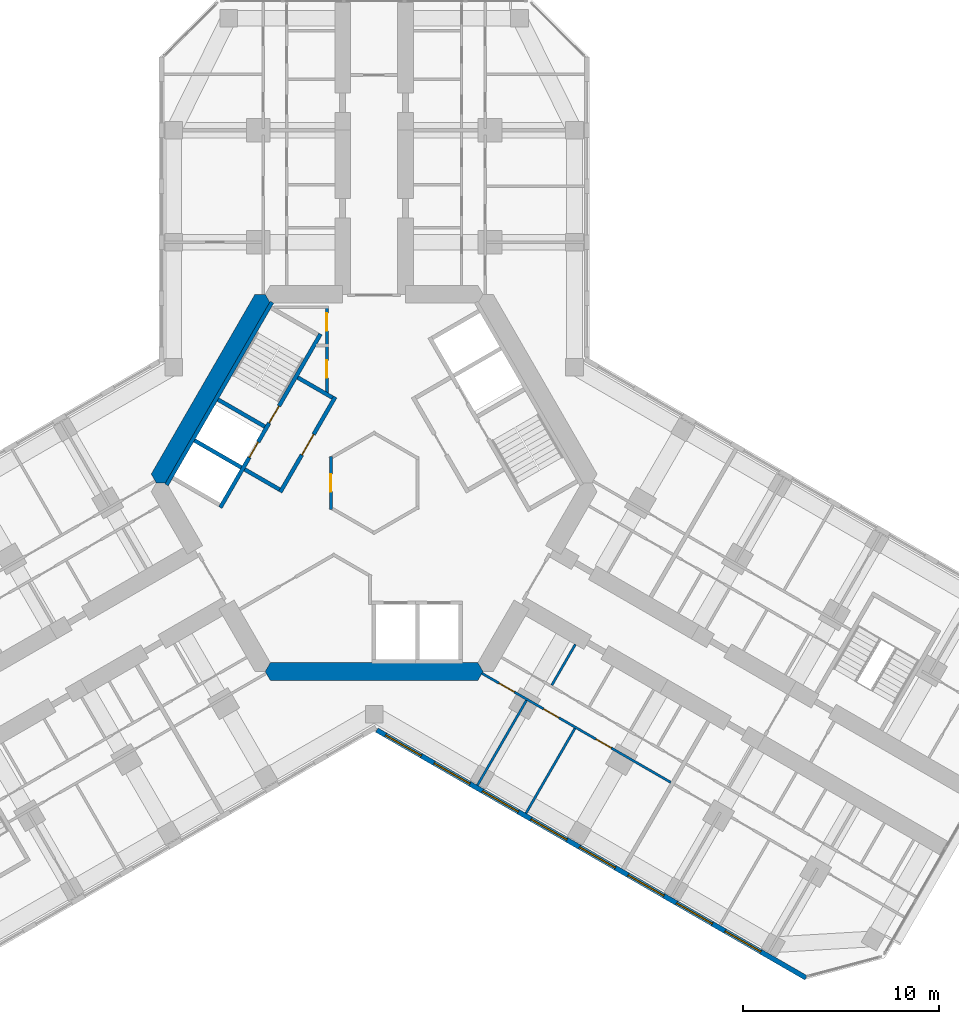
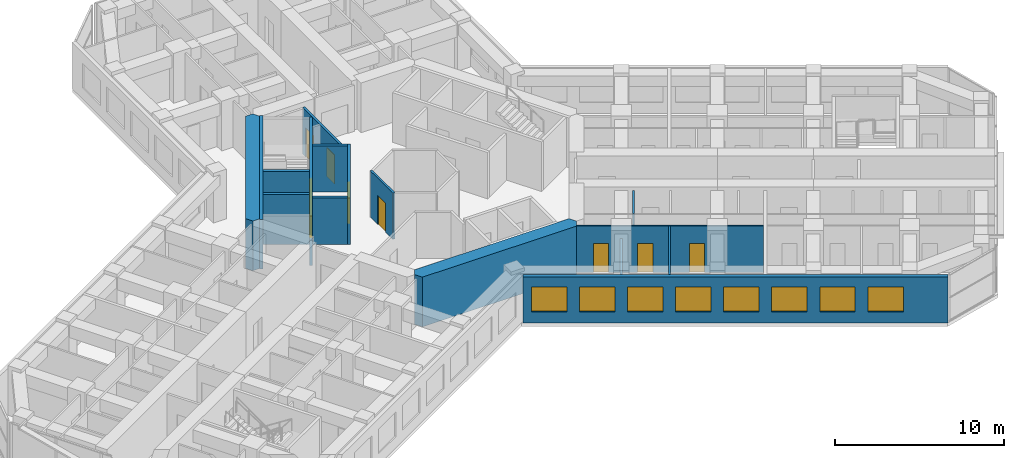
# One storey, part 13 of 20: 16 walls, 9 doors, 8 windows, 17 openings.
"""IFC4 building model written with IfcOpenShell, lengths in metres."""

from ifc_helpers import new_model, si_unit, direction, frame, frame_2d, origin, place, context, subcontext, project, spatial, polyline, rectangle, outline, extrude, material, layer, layer_set, type_object, element, fill, save


model = new_model("IFC4")

# Units and contexts
model_context = context("Model", 3, precision=1e-05, world=origin(), true_north=direction((0.0, 1.0)))
body_context = subcontext(model_context, "Body", "Model", "MODEL_VIEW")
ifc_project = project(units=[si_unit("LENGTHUNIT", "METRE"), si_unit("AREAUNIT", "SQUARE_METRE"), si_unit("VOLUMEUNIT", "CUBIC_METRE"), si_unit("PLANEANGLEUNIT", "RADIAN"), si_unit("MASSUNIT", "GRAM", prefix="KILO")], contexts=[model_context])

# Site, building, storey
site_placement = place(None, origin())
site = spatial("IfcSite", under=ifc_project, at=site_placement, CompositionType="ELEMENT")
building_placement = place(site_placement, origin())
building = spatial("IfcBuilding", under=site, at=building_placement, Name="Kosmar Iwan School Tower", CompositionType="ELEMENT")
storey_placement = place(building_placement, frame((0.0, 0.0, 179.60009765625)))
storey = spatial("IfcBuildingStorey", under=building, at=storey_placement, Name="L45", CompositionType="ELEMENT", Elevation=179.60009765625)

# Wall, openings, doors
ifc_material_1 = material(Name="Gypsum board on steel studs, fire-rated", Category="steel")
ifc_layer_1 = layer(ifc_material_1, 0.14990234375)
ifc_layer_set_1 = layer_set([ifc_layer_1], Name="Core room partition 150")
wall_type_1 = type_object("IfcWallType", Name="Core room partition 150", PredefinedType="PARTITIONING", material=ifc_layer_set_1)
wall_1_placement = place(storey_placement, frame((-2.39990234375, 9.014892578125, 0.0), z_axis=(0.0, 0.0, 1.0), x_axis=(0.0, -1.0, 0.0)))
wall_1 = element("IfcWall", 1, at=wall_1_placement, inside=storey, type_object=wall_type_1, Name="Core room partition L45-CW1", PredefinedType="PARTITIONING", context=body_context, shape_type="SweptSolid", body=[
    extrude(rectangle(XDim=4.484130859375, YDim=0.14990234375, at=frame_2d((2.2421875, 0.0))), origin(), (0.0, 0.0, 1.0), 3.349853515625),
])
opening_1_placement = place(wall_1_placement, frame((0.375, 0.0, 0.0)))
opening_1 = element("IfcOpeningElement", 2, at=opening_1_placement, cuts=wall_1, Name="Opening D14", PredefinedType="OPENING", context=body_context, shape_type="SweptSolid", body=[
    extrude(rectangle(XDim=0.89990234375, YDim=2.10009765625, at=frame_2d((0.449951171875, 1.050048828125))), frame((0.0, 0.0869140625, 0.0), z_axis=(0.0, -1.0, 0.0), x_axis=(1.0, 0.0, 0.0)), (0.0, 0.0, 1.0), 0.173828125),
])
opening_2_placement = place(wall_1_placement, frame((2.77490234375, 0.0, 0.0)))
opening_2 = element("IfcOpeningElement", 3, at=opening_2_placement, cuts=wall_1, Name="Opening D14", PredefinedType="OPENING", context=body_context, shape_type="SweptSolid", body=[
    extrude(rectangle(XDim=0.89990234375, YDim=2.10009765625, at=frame_2d((0.449951171875, 1.050048828125))), frame((0.0, 0.0869140625, 0.0), z_axis=(0.0, -1.0, 0.0), x_axis=(1.0, 0.0, 0.0)), (0.0, 0.0, 1.0), 0.173828125),
])
ifc_material_2 = material(Name="Timber fire door in steel frame", Category="steel")
door_type_1 = type_object("IfcDoorType", Name="Core room door 900x2100", OperationType="SINGLE_SWING_LEFT", PredefinedType="DOOR", material=ifc_material_2)
door_1_placement = place(opening_1_placement, origin())
door_1 = element("IfcDoor", 4, at=door_1_placement, inside=storey, type_object=door_type_1, Name="Electrical riser and switch room door L45 1", OperationType="SINGLE_SWING_LEFT", OverallHeight=2.10009765625, OverallWidth=0.89990234375, PredefinedType="DOOR", context=body_context, shape_type="SweptSolid", body=[
    extrude(rectangle(XDim=0.89990234375, YDim=2.10009765625, at=frame_2d((0.449951171875, 1.050048828125))), frame((0.0, 0.02490234375, 0.0), z_axis=(0.0, -1.0, 0.0), x_axis=(1.0, 0.0, 0.0)), (0.0, 0.0, 1.0), 0.050048828125),
])
fill(opening_1, door_1)
door_2_placement = place(opening_2_placement, origin())
door_2 = element("IfcDoor", 5, at=door_2_placement, inside=storey, type_object=door_type_1, Name="Plumbing and wet riser door L45 2", OperationType="SINGLE_SWING_RIGHT", OverallHeight=2.10009765625, OverallWidth=0.89990234375, PredefinedType="DOOR", context=body_context, shape_type="SweptSolid", body=[
    extrude(rectangle(XDim=0.89990234375, YDim=2.10009765625, at=frame_2d((0.449951171875, 1.050048828125))), frame((0.0, 0.02490234375, 0.0), z_axis=(0.0, -1.0, 0.0), x_axis=(1.0, 0.0, 0.0)), (0.0, 0.0, 1.0), 0.050048828125),
])
fill(opening_2, door_2)

# Wall, opening, door
wall_2_placement = place(storey_placement, frame((-2.199951171875, -1.34521484375, 0.0), z_axis=(0.0, 0.0, 1.0), x_axis=(0.0, 1.0, 0.0)))
wall_2 = element("IfcWall", 6, at=wall_2_placement, inside=storey, type_object=wall_type_1, Name="Core room partition L45-CW10", PredefinedType="PARTITIONING", context=body_context, shape_type="SweptSolid", body=[
    extrude(rectangle(XDim=2.6904296875, YDim=0.14990234375, at=frame_2d((1.34521484375, 0.0))), origin(), (0.0, 0.0, 1.0), 3.349853515625),
])
opening_3_placement = place(wall_2_placement, frame((0.89501953125, 0.0, 0.0)))
opening_3 = element("IfcOpeningElement", 7, at=opening_3_placement, cuts=wall_2, Name="Opening D14", PredefinedType="OPENING", context=body_context, shape_type="SweptSolid", body=[
    extrude(rectangle(XDim=0.89990234375, YDim=2.10009765625, at=frame_2d((0.449951171875, 1.050048828125))), frame((0.0, 0.0869140625, 0.0), z_axis=(0.0, -1.0, 0.0), x_axis=(1.0, 0.0, 0.0)), (0.0, 0.0, 1.0), 0.173828125),
])
door_3_placement = place(opening_3_placement, origin())
door_3 = element("IfcDoor", 8, at=door_3_placement, inside=storey, type_object=door_type_1, Name="Communications room door L45 4", OperationType="SINGLE_SWING_LEFT", OverallHeight=2.10009765625, OverallWidth=0.89990234375, PredefinedType="DOOR", context=body_context, shape_type="SweptSolid", body=[
    extrude(rectangle(XDim=0.89990234375, YDim=2.10009765625, at=frame_2d((0.449951171875, 1.050048828125))), frame((0.0, 0.02490234375, 0.0), z_axis=(0.0, -1.0, 0.0), x_axis=(1.0, 0.0, 0.0)), (0.0, 0.0, 1.0), 0.050048828125),
])
fill(opening_3, door_3)

# Walls
ifc_material_3 = material(Name="Concrete C50/60", Category="concrete")
ifc_layer_2 = layer(ifc_material_3, 0.89990234375)
ifc_layer_set_2 = layer_set([ifc_layer_2], Name="Core wall 900")
wall_type_2 = type_object("IfcWallType", Name="Core wall 900", PredefinedType="SHEAR", material=ifc_layer_set_2)
wall_3_placement = place(storey_placement, origin())
element("IfcWall", 9, at=wall_3_placement, inside=storey, type_object=wall_type_2, Name="Core wall F150", PredefinedType="SHEAR", context=body_context, shape_type="SweptSolid", body=[
    extrude(outline(polyline([(-11.085205078125, 0.0), (-10.5654296875, 0.0), (-5.28271484375, 9.14990234375), (-5.54248046875, 9.60009765625), (-6.062255859375, 9.60009765625), (-11.344970703125, 0.449951171875), (-11.085205078125, 0.0)])), origin(), (0.0, 0.0, 1.0), 3.599853515625),
])
wall_4_placement = place(storey_placement, origin())
element("IfcWall", 10, at=wall_4_placement, inside=storey, type_object=wall_type_2, Name="Core wall F270", PredefinedType="SHEAR", context=body_context, shape_type="SweptSolid", body=[
    extrude(outline(polyline([(-5.28271484375, -10.050048828125), (5.28271484375, -10.050048828125), (5.54248046875, -9.60009765625), (5.28271484375, -9.14990234375), (-5.28271484375, -9.14990234375), (-5.54248046875, -9.60009765625), (-5.28271484375, -10.050048828125)])), origin(), (0.0, 0.0, 1.0), 3.599853515625),
])

# Wall, openings, doors
ifc_material_4 = material(Name="Gypsum board on steel studs", Category="steel")
ifc_layer_3 = layer(ifc_material_4, 0.1201171875)
ifc_layer_set_3 = layer_set([ifc_layer_3], Name="Dwelling partition 120")
wall_type_3 = type_object("IfcWallType", Name="Dwelling partition 120", PredefinedType="PARTITIONING", material=ifc_layer_set_3)
wall_5_placement = place(storey_placement, frame((5.48876953125, -9.693115234375, 0.0), z_axis=(0.0, 0.0, 1.0), x_axis=(0.866026992824, -0.499997247692, 0.0)))
wall_5 = element("IfcWall", 11, at=wall_5_placement, inside=storey, type_object=wall_type_3, Name="Partition L45-CR1-W2", PredefinedType="PARTITIONING", context=body_context, shape_type="SweptSolid", body=[
    extrude(rectangle(XDim=11.10009765625, YDim=0.1201171875, at=frame_2d((5.550048828125, 0.0))), origin(), (0.0, 0.0, 1.0), 3.349853515625),
])
opening_4_placement = place(wall_5_placement, frame((1.0, 0.0, 0.0)))
opening_4 = element("IfcOpeningElement", 12, at=opening_4_placement, cuts=wall_5, Name="Opening D2", PredefinedType="OPENING", context=body_context, shape_type="SweptSolid", body=[
    extrude(rectangle(XDim=0.89990234375, YDim=2.10009765625, at=frame_2d((0.449951171875, 1.050048828125))), frame((0.0, 0.072021484375, 0.0), z_axis=(0.0, -1.0, 0.0), x_axis=(1.0, 0.0, 0.0)), (0.0, 0.0, 1.0), 0.14404296875),
])
opening_5_placement = place(wall_5_placement, frame((3.625, 0.0, 0.0)))
opening_5 = element("IfcOpeningElement", 13, at=opening_5_placement, cuts=wall_5, Name="Opening D2", PredefinedType="OPENING", context=body_context, shape_type="SweptSolid", body=[
    extrude(rectangle(XDim=0.89990234375, YDim=2.10009765625, at=frame_2d((0.449951171875, 1.050048828125))), frame((0.0, 0.072021484375, 0.0), z_axis=(0.0, -1.0, 0.0), x_axis=(1.0, 0.0, 0.0)), (0.0, 0.0, 1.0), 0.14404296875),
])
opening_6_placement = place(wall_5_placement, frame((6.699951171875, 0.0, 0.0)))
opening_6 = element("IfcOpeningElement", 14, at=opening_6_placement, cuts=wall_5, Name="Opening D2", PredefinedType="OPENING", context=body_context, shape_type="SweptSolid", body=[
    extrude(rectangle(XDim=0.89990234375, YDim=2.10009765625, at=frame_2d((0.449951171875, 1.050048828125))), frame((0.0, 0.072021484375, 0.0), z_axis=(0.0, -1.0, 0.0), x_axis=(1.0, 0.0, 0.0)), (0.0, 0.0, 1.0), 0.14404296875),
])
ifc_material_5 = material(Name="Timber door in timber frame", Category="wood")
door_type_2 = type_object("IfcDoorType", Name="Internal door 900x2100", OperationType="SINGLE_SWING_LEFT", PredefinedType="DOOR", material=ifc_material_5)
door_4_placement = place(opening_4_placement, origin())
door_4 = element("IfcDoor", 15, at=door_4_placement, inside=storey, type_object=door_type_2, Name="Bedroom 1 door L45-CR1-F1", OperationType="SINGLE_SWING_LEFT", OverallHeight=2.10009765625, OverallWidth=0.89990234375, PredefinedType="DOOR", context=body_context, shape_type="SweptSolid", body=[
    extrude(rectangle(XDim=0.89990234375, YDim=2.10009765625, at=frame_2d((0.449951171875, 1.050048828125))), frame((0.0, 0.02490234375, 0.0), z_axis=(0.0, -1.0, 0.0), x_axis=(1.0, 0.0, 0.0)), (0.0, 0.0, 1.0), 0.050048828125),
])
fill(opening_4, door_4)
door_5_placement = place(opening_5_placement, origin())
door_5 = element("IfcDoor", 16, at=door_5_placement, inside=storey, type_object=door_type_2, Name="Study door L45-CR1-F2", OperationType="SINGLE_SWING_LEFT", OverallHeight=2.10009765625, OverallWidth=0.89990234375, PredefinedType="DOOR", context=body_context, shape_type="SweptSolid", body=[
    extrude(rectangle(XDim=0.89990234375, YDim=2.10009765625, at=frame_2d((0.449951171875, 1.050048828125))), frame((0.0, 0.02490234375, 0.0), z_axis=(0.0, -1.0, 0.0), x_axis=(1.0, 0.0, 0.0)), (0.0, 0.0, 1.0), 0.050048828125),
])
fill(opening_5, door_5)
door_6_placement = place(opening_6_placement, origin())
door_6 = element("IfcDoor", 17, at=door_6_placement, inside=storey, type_object=door_type_2, Name="Family room and kitchen door L45-CR1-F3", OperationType="SINGLE_SWING_RIGHT", OverallHeight=2.10009765625, OverallWidth=0.89990234375, PredefinedType="DOOR", context=body_context, shape_type="SweptSolid", body=[
    extrude(rectangle(XDim=0.89990234375, YDim=2.10009765625, at=frame_2d((0.449951171875, 1.050048828125))), frame((0.0, 0.02490234375, 0.0), z_axis=(0.0, -1.0, 0.0), x_axis=(1.0, 0.0, 0.0)), (0.0, 0.0, 1.0), 0.050048828125),
])
fill(opening_6, door_6)

# Walls
wall_6_placement = place(storey_placement, frame((7.75390625, -11.070068359375, 0.0), z_axis=(0.0, 0.0, 1.0), x_axis=(-0.500011847778, -0.866018563358, 0.0)))
element("IfcWall", 18, at=wall_6_placement, inside=storey, type_object=wall_type_3, Name="Partition L45-CR1-X1", PredefinedType="PARTITIONING", context=body_context, shape_type="SweptSolid", body=[
    extrude(rectangle(XDim=4.990234375, YDim=0.1201171875, at=frame_2d((2.4951171875, 0.0))), origin(), (0.0, 0.0, 1.0), 2.449951171875),
])
wall_7_placement = place(storey_placement, frame((10.221923828125, -12.4951171875, 0.0), z_axis=(0.0, 0.0, 1.0), x_axis=(-0.499996339024, -0.86602751744, 0.0)))
element("IfcWall", 19, at=wall_7_placement, inside=storey, type_object=wall_type_3, Name="Partition L45-CR1-X2", PredefinedType="PARTITIONING", context=body_context, shape_type="SweptSolid", body=[
    extrude(rectangle(XDim=4.98974609375, YDim=0.1201171875, at=frame_2d((2.494873046875, 0.0))), origin(), (0.0, 0.0, 1.0), 3.349853515625),
])
wall_8_placement = place(storey_placement, frame((10.240966796875, -8.221923828125, 0.0), z_axis=(0.0, 0.0, 1.0), x_axis=(-0.500017192868, -0.86601547725, 0.0)))
element("IfcWall", 20, at=wall_8_placement, inside=storey, type_object=wall_type_3, Name="Partition L45-CR1-Y1", PredefinedType="PARTITIONING", context=body_context, shape_type="SweptSolid", body=[
    extrude(rectangle(XDim=2.39013671875, YDim=0.1201171875, at=frame_2d((1.195068359375, 0.0))), origin(), (0.0, 0.0, 1.0), 3.349853515625),
])

# Wall, openings, windows
ifc_material_6 = material(Name="Black aluminium rainscreen on insulated framing", Category="aluminium")
ifc_layer_4 = layer(ifc_material_6, 0.25)
ifc_layer_set_4 = layer_set([ifc_layer_4], Name="External wall rainscreen 250")
wall_type_4 = type_object("IfcWallType", Name="External wall rainscreen 250", PredefinedType="SOLIDWALL", material=ifc_layer_set_4)
wall_9_placement = place(storey_placement, frame((0.137939453125, -12.5791015625, 0.0), z_axis=(0.0, 0.0, 1.0), x_axis=(0.866023775649, -0.500002820003, 0.0)))
wall_9 = element("IfcWall", 21, at=wall_9_placement, inside=storey, type_object=wall_type_4, Name="External wall CR L45", PredefinedType="SOLIDWALL", context=body_context, shape_type="SweptSolid", body=[
    extrude(rectangle(XDim=25.226318359375, YDim=0.25, at=frame_2d((12.61328125, 0.0))), origin(), (0.0, 0.0, 1.0), 3.349853515625),
])
opening_7_placement = place(wall_9_placement, frame((0.51611328125, 0.0, 0.800048828125)))
opening_7 = element("IfcOpeningElement", 22, at=opening_7_placement, cuts=wall_9, Name="Opening W4", PredefinedType="OPENING", context=body_context, shape_type="SweptSolid", body=[
    extrude(rectangle(XDim=2.10009765625, YDim=1.800048828125, at=frame_2d((1.050048828125, 0.89990234375))), frame((0.0, 0.136962890625, 0.0), z_axis=(0.0, -1.0, 0.0), x_axis=(1.0, 0.0, 0.0)), (0.0, 0.0, 1.0), 0.27392578125),
])
opening_8_placement = place(wall_9_placement, frame((3.365966796875, 0.0, 0.800048828125)))
opening_8 = element("IfcOpeningElement", 23, at=opening_8_placement, cuts=wall_9, Name="Opening W4", PredefinedType="OPENING", context=body_context, shape_type="SweptSolid", body=[
    extrude(rectangle(XDim=2.10009765625, YDim=1.800048828125, at=frame_2d((1.050048828125, 0.89990234375))), frame((0.0, 0.136962890625, 0.0), z_axis=(0.0, -1.0, 0.0), x_axis=(1.0, 0.0, 0.0)), (0.0, 0.0, 1.0), 0.27392578125),
])
opening_9_placement = place(wall_9_placement, frame((6.216064453125, 0.0, 0.800048828125)))
opening_9 = element("IfcOpeningElement", 24, at=opening_9_placement, cuts=wall_9, Name="Opening W4", PredefinedType="OPENING", context=body_context, shape_type="SweptSolid", body=[
    extrude(rectangle(XDim=2.10009765625, YDim=1.800048828125, at=frame_2d((1.050048828125, 0.89990234375))), frame((0.0, 0.136962890625, 0.0), z_axis=(0.0, -1.0, 0.0), x_axis=(1.0, 0.0, 0.0)), (0.0, 0.0, 1.0), 0.27392578125),
])
opening_10_placement = place(wall_9_placement, frame((9.06591796875, 0.0, 0.800048828125)))
opening_10 = element("IfcOpeningElement", 25, at=opening_10_placement, cuts=wall_9, Name="Opening W4", PredefinedType="OPENING", context=body_context, shape_type="SweptSolid", body=[
    extrude(rectangle(XDim=2.10009765625, YDim=1.800048828125, at=frame_2d((1.050048828125, 0.89990234375))), frame((0.0, 0.136962890625, 0.0), z_axis=(0.0, -1.0, 0.0), x_axis=(1.0, 0.0, 0.0)), (0.0, 0.0, 1.0), 0.27392578125),
])
opening_11_placement = place(wall_9_placement, frame((11.916015625, 0.0, 0.800048828125)))
opening_11 = element("IfcOpeningElement", 26, at=opening_11_placement, cuts=wall_9, Name="Opening W4", PredefinedType="OPENING", context=body_context, shape_type="SweptSolid", body=[
    extrude(rectangle(XDim=2.10009765625, YDim=1.800048828125, at=frame_2d((1.050048828125, 0.89990234375))), frame((0.0, 0.136962890625, 0.0), z_axis=(0.0, -1.0, 0.0), x_axis=(1.0, 0.0, 0.0)), (0.0, 0.0, 1.0), 0.27392578125),
])
opening_12_placement = place(wall_9_placement, frame((14.76611328125, 0.0, 0.800048828125)))
opening_12 = element("IfcOpeningElement", 27, at=opening_12_placement, cuts=wall_9, Name="Opening W4", PredefinedType="OPENING", context=body_context, shape_type="SweptSolid", body=[
    extrude(rectangle(XDim=2.10009765625, YDim=1.800048828125, at=frame_2d((1.050048828125, 0.89990234375))), frame((0.0, 0.136962890625, 0.0), z_axis=(0.0, -1.0, 0.0), x_axis=(1.0, 0.0, 0.0)), (0.0, 0.0, 1.0), 0.27392578125),
])
opening_13_placement = place(wall_9_placement, frame((17.615966796875, 0.0, 0.800048828125)))
opening_13 = element("IfcOpeningElement", 28, at=opening_13_placement, cuts=wall_9, Name="Opening W4", PredefinedType="OPENING", context=body_context, shape_type="SweptSolid", body=[
    extrude(rectangle(XDim=2.10009765625, YDim=1.800048828125, at=frame_2d((1.050048828125, 0.89990234375))), frame((0.0, 0.136962890625, 0.0), z_axis=(0.0, -1.0, 0.0), x_axis=(1.0, 0.0, 0.0)), (0.0, 0.0, 1.0), 0.27392578125),
])
opening_14_placement = place(wall_9_placement, frame((20.466064453125, 0.0, 0.800048828125)))
opening_14 = element("IfcOpeningElement", 29, at=opening_14_placement, cuts=wall_9, Name="Opening W4", PredefinedType="OPENING", context=body_context, shape_type="SweptSolid", body=[
    extrude(rectangle(XDim=2.10009765625, YDim=1.800048828125, at=frame_2d((1.050048828125, 0.89990234375))), frame((0.0, 0.136962890625, 0.0), z_axis=(0.0, -1.0, 0.0), x_axis=(1.0, 0.0, 0.0)), (0.0, 0.0, 1.0), 0.27392578125),
])
ifc_material_7 = material(Name="Black aluminium frame with dark triple glazing", Category="aluminium")
window_type = type_object("IfcWindowType", Name="Window 2100x1800", PartitioningType="SINGLE_PANEL", PredefinedType="WINDOW", material=ifc_material_7)
window_1_placement = place(opening_7_placement, origin())
window_1 = element("IfcWindow", 30, at=window_1_placement, inside=storey, type_object=window_type, Name="Window CR L45 -1", OverallHeight=1.800048828125, OverallWidth=2.10009765625, PartitioningType="SINGLE_PANEL", PredefinedType="WINDOW", context=body_context, shape_type="SweptSolid", body=[
    extrude(rectangle(XDim=2.10009765625, YDim=1.800048828125, at=frame_2d((1.050048828125, 0.89990234375))), frame((0.0, 0.030029296875, 0.0), z_axis=(0.0, -1.0, 0.0), x_axis=(1.0, 0.0, 0.0)), (0.0, 0.0, 1.0), 0.06005859375),
])
fill(opening_7, window_1)
window_2_placement = place(opening_8_placement, origin())
window_2 = element("IfcWindow", 31, at=window_2_placement, inside=storey, type_object=window_type, Name="Window CR L45 0", OverallHeight=1.800048828125, OverallWidth=2.10009765625, PartitioningType="SINGLE_PANEL", PredefinedType="WINDOW", context=body_context, shape_type="SweptSolid", body=[
    extrude(rectangle(XDim=2.10009765625, YDim=1.800048828125, at=frame_2d((1.050048828125, 0.89990234375))), frame((0.0, 0.030029296875, 0.0), z_axis=(0.0, -1.0, 0.0), x_axis=(1.0, 0.0, 0.0)), (0.0, 0.0, 1.0), 0.06005859375),
])
fill(opening_8, window_2)
window_3_placement = place(opening_9_placement, origin())
window_3 = element("IfcWindow", 32, at=window_3_placement, inside=storey, type_object=window_type, Name="Window CR L45 1", OverallHeight=1.800048828125, OverallWidth=2.10009765625, PartitioningType="SINGLE_PANEL", PredefinedType="WINDOW", context=body_context, shape_type="SweptSolid", body=[
    extrude(rectangle(XDim=2.10009765625, YDim=1.800048828125, at=frame_2d((1.050048828125, 0.89990234375))), frame((0.0, 0.030029296875, 0.0), z_axis=(0.0, -1.0, 0.0), x_axis=(1.0, 0.0, 0.0)), (0.0, 0.0, 1.0), 0.06005859375),
])
fill(opening_9, window_3)
window_4_placement = place(opening_10_placement, origin())
window_4 = element("IfcWindow", 33, at=window_4_placement, inside=storey, type_object=window_type, Name="Window CR L45 2", OverallHeight=1.800048828125, OverallWidth=2.10009765625, PartitioningType="SINGLE_PANEL", PredefinedType="WINDOW", context=body_context, shape_type="SweptSolid", body=[
    extrude(rectangle(XDim=2.10009765625, YDim=1.800048828125, at=frame_2d((1.050048828125, 0.89990234375))), frame((0.0, 0.030029296875, 0.0), z_axis=(0.0, -1.0, 0.0), x_axis=(1.0, 0.0, 0.0)), (0.0, 0.0, 1.0), 0.06005859375),
])
fill(opening_10, window_4)
window_5_placement = place(opening_11_placement, origin())
window_5 = element("IfcWindow", 34, at=window_5_placement, inside=storey, type_object=window_type, Name="Window CR L45 3", OverallHeight=1.800048828125, OverallWidth=2.10009765625, PartitioningType="SINGLE_PANEL", PredefinedType="WINDOW", context=body_context, shape_type="SweptSolid", body=[
    extrude(rectangle(XDim=2.10009765625, YDim=1.800048828125, at=frame_2d((1.050048828125, 0.89990234375))), frame((0.0, 0.030029296875, 0.0), z_axis=(0.0, -1.0, 0.0), x_axis=(1.0, 0.0, 0.0)), (0.0, 0.0, 1.0), 0.06005859375),
])
fill(opening_11, window_5)
window_6_placement = place(opening_12_placement, origin())
window_6 = element("IfcWindow", 35, at=window_6_placement, inside=storey, type_object=window_type, Name="Window CR L45 4", OverallHeight=1.800048828125, OverallWidth=2.10009765625, PartitioningType="SINGLE_PANEL", PredefinedType="WINDOW", context=body_context, shape_type="SweptSolid", body=[
    extrude(rectangle(XDim=2.10009765625, YDim=1.800048828125, at=frame_2d((1.050048828125, 0.89990234375))), frame((0.0, 0.030029296875, 0.0), z_axis=(0.0, -1.0, 0.0), x_axis=(1.0, 0.0, 0.0)), (0.0, 0.0, 1.0), 0.06005859375),
])
fill(opening_12, window_6)
window_7_placement = place(opening_13_placement, origin())
window_7 = element("IfcWindow", 36, at=window_7_placement, inside=storey, type_object=window_type, Name="Window CR L45 5", OverallHeight=1.800048828125, OverallWidth=2.10009765625, PartitioningType="SINGLE_PANEL", PredefinedType="WINDOW", context=body_context, shape_type="SweptSolid", body=[
    extrude(rectangle(XDim=2.10009765625, YDim=1.800048828125, at=frame_2d((1.050048828125, 0.89990234375))), frame((0.0, 0.030029296875, 0.0), z_axis=(0.0, -1.0, 0.0), x_axis=(1.0, 0.0, 0.0)), (0.0, 0.0, 1.0), 0.06005859375),
])
fill(opening_13, window_7)
window_8_placement = place(opening_14_placement, origin())
window_8 = element("IfcWindow", 37, at=window_8_placement, inside=storey, type_object=window_type, Name="Window CR L45 6", OverallHeight=1.800048828125, OverallWidth=2.10009765625, PartitioningType="SINGLE_PANEL", PredefinedType="WINDOW", context=body_context, shape_type="SweptSolid", body=[
    extrude(rectangle(XDim=2.10009765625, YDim=1.800048828125, at=frame_2d((1.050048828125, 0.89990234375))), frame((0.0, 0.030029296875, 0.0), z_axis=(0.0, -1.0, 0.0), x_axis=(1.0, 0.0, 0.0)), (0.0, 0.0, 1.0), 0.06005859375),
])
fill(opening_14, window_8)

# Wall, opening, door
ifc_material_8 = material(Name="Concrete block masonry", Category="masonry")
ifc_layer_5 = layer(ifc_material_8, 0.199951171875)
ifc_layer_set_5 = layer_set([ifc_layer_5], Name="Fire lobby wall 200")
wall_type_5 = type_object("IfcWallType", Name="Fire lobby wall 200", PredefinedType="PARTITIONING", material=ifc_layer_set_5)
wall_10_placement = place(storey_placement, frame((-1.9775390625, 4.374755859375, 0.0), z_axis=(0.0, 0.0, 1.0), x_axis=(-0.500016814911, -0.866015695474, 0.0)))
wall_10 = element("IfcWall", 38, at=wall_10_placement, inside=storey, type_object=wall_type_5, Name="Firefighting lobby wall ST2", PredefinedType="PARTITIONING", context=body_context, shape_type="SweptSolid", body=[
    extrude(rectangle(XDim=5.599853515625, YDim=0.199951171875, at=frame_2d((2.7998046875, 0.0))), origin(), (0.0, 0.0, 1.0), 3.349853515625),
])
opening_15_placement = place(wall_10_placement, frame((2.199951171875, 0.0, 0.0)))
opening_15 = element("IfcOpeningElement", 39, at=opening_15_placement, cuts=wall_10, Name="Opening D7", PredefinedType="OPENING", context=body_context, shape_type="SweptSolid", body=[
    extrude(rectangle(XDim=1.199951171875, YDim=2.10009765625, at=frame_2d((0.60009765625, 1.050048828125))), frame((0.0, 0.112060546875, 0.0), z_axis=(0.0, -1.0, 0.0), x_axis=(1.0, 0.0, 0.0)), (0.0, 0.0, 1.0), 0.223876953125),
])
ifc_material_9 = material(Name="Steel fire door", Category="steel")
door_type_3 = type_object("IfcDoorType", Name="Fire lobby door 1200x2100", OperationType="SINGLE_SWING_LEFT", PredefinedType="DOOR", material=ifc_material_9)
door_7_placement = place(opening_15_placement, origin())
door_7 = element("IfcDoor", 40, at=door_7_placement, inside=storey, type_object=door_type_3, Name="Firefighting lobby door ST2 L45", OperationType="SINGLE_SWING_LEFT", OverallHeight=2.10009765625, OverallWidth=1.199951171875, PredefinedType="DOOR", context=body_context, shape_type="SweptSolid", body=[
    extrude(rectangle(XDim=1.199951171875, YDim=2.10009765625, at=frame_2d((0.60009765625, 1.050048828125))), frame((0.0, 0.02490234375, 0.0), z_axis=(0.0, -1.0, 0.0), x_axis=(1.0, 0.0, 0.0)), (0.0, 0.0, 1.0), 0.050048828125),
])
fill(opening_15, door_7)

# Walls
wall_11_placement = place(storey_placement, frame((-2.114013671875, 4.33837890625, 0.0), z_axis=(0.0, 0.0, 1.0), x_axis=(-0.866050731258, 0.499956128963, 0.0)))
element("IfcWall", 41, at=wall_11_placement, inside=storey, type_object=wall_type_5, Name="Firefighting lobby wall ST2", PredefinedType="PARTITIONING", context=body_context, shape_type="SweptSolid", body=[
    extrude(rectangle(XDim=2.050048828125, YDim=0.199951171875, at=frame_2d((1.02490234375, 0.0))), origin(), (0.0, 0.0, 1.0), 3.349853515625),
])
wall_12_placement = place(storey_placement, frame((-4.814208984375, -0.33837890625, 0.0), z_axis=(0.0, 0.0, 1.0), x_axis=(-0.865969381856, 0.500097020274, 0.0)))
element("IfcWall", 42, at=wall_12_placement, inside=storey, type_object=wall_type_5, Name="Firefighting lobby wall ST2", PredefinedType="PARTITIONING", context=body_context, shape_type="SweptSolid", body=[
    extrude(rectangle(XDim=2.0498046875, YDim=0.199951171875, at=frame_2d((1.02490234375, 0.0))), origin(), (0.0, 0.0, 1.0), 3.349853515625),
])

# Wall, openings, doors
ifc_material_10 = material(Name="Concrete C50/60", Category="concrete")
ifc_layer_6 = layer(ifc_material_10, 0.199951171875)
ifc_layer_set_6 = layer_set([ifc_layer_6], Name="Lift shaft wall 200")
wall_type_6 = type_object("IfcWallType", Name="Lift shaft wall 200", PredefinedType="SHEAR", material=ifc_layer_set_6)
wall_13_placement = place(storey_placement, frame((-2.72607421875, 7.578369140625, 0.0), z_axis=(0.0, 0.0, 1.0), x_axis=(-0.500005610874, -0.86602216432, 0.0)))
wall_13 = element("IfcWall", 43, at=wall_13_placement, inside=storey, type_object=wall_type_6, Name="Lift and stair front wall AB", PredefinedType="SHEAR", context=body_context, shape_type="SweptSolid", body=[
    extrude(rectangle(XDim=10.2001953125, YDim=0.199951171875, at=frame_2d((5.10009765625, 0.0))), origin(), (0.0, 0.0, 1.0), 3.599853515625),
])
opening_16_placement = place(wall_13_placement, frame((6.35009765625, 0.0, 0.0)))
opening_16 = element("IfcOpeningElement", 44, at=opening_16_placement, cuts=wall_13, Name="Opening LD2", PredefinedType="OPENING", context=body_context, shape_type="SweptSolid", body=[
    extrude(rectangle(XDim=0.89990234375, YDim=2.10009765625, at=frame_2d((0.449951171875, 1.050048828125))), frame((0.0, 0.112060546875, 0.0), z_axis=(0.0, -1.0, 0.0), x_axis=(1.0, 0.0, 0.0)), (0.0, 0.0, 1.0), 0.223876953125),
])
opening_17_placement = place(wall_13_placement, frame((4.22998046875, 0.0, 0.0)))
opening_17 = element("IfcOpeningElement", 45, at=opening_17_placement, cuts=wall_13, Name="Opening D6", PredefinedType="OPENING", context=body_context, shape_type="SweptSolid", body=[
    extrude(rectangle(XDim=1.0, YDim=2.10009765625, at=frame_2d((0.5, 1.050048828125))), frame((0.0, 0.112060546875, 0.0), z_axis=(0.0, -1.0, 0.0), x_axis=(1.0, 0.0, 0.0)), (0.0, 0.0, 1.0), 0.223876953125),
])
ifc_material_11 = material(Name="Stainless steel sliding lift door", Category="steel")
door_type_4 = type_object("IfcDoorType", Name="Firefighting lift landing door 900x2100", OperationType="SLIDING_TO_LEFT", PredefinedType="DOOR", material=ifc_material_11)
door_8_placement = place(opening_16_placement, origin())
door_8 = element("IfcDoor", 46, at=door_8_placement, inside=storey, type_object=door_type_4, Name="Lift FF2 landing door L45", OperationType="SLIDING_TO_LEFT", OverallHeight=2.10009765625, OverallWidth=0.89990234375, PredefinedType="DOOR", context=body_context, shape_type="SweptSolid", body=[
    extrude(rectangle(XDim=0.89990234375, YDim=2.10009765625, at=frame_2d((0.449951171875, 1.050048828125))), frame((0.0, 0.02490234375, 0.0), z_axis=(0.0, -1.0, 0.0), x_axis=(1.0, 0.0, 0.0)), (0.0, 0.0, 1.0), 0.050048828125),
])
fill(opening_16, door_8)
ifc_material_12 = material(Name="Steel fire door", Category="steel")
door_type_5 = type_object("IfcDoorType", Name="Stair door 1000x2100", OperationType="SINGLE_SWING_LEFT", PredefinedType="DOOR", material=ifc_material_12)
door_9_placement = place(opening_17_placement, origin())
door_9 = element("IfcDoor", 47, at=door_9_placement, inside=storey, type_object=door_type_5, Name="Stair ST2 door L45", OperationType="SINGLE_SWING_LEFT", OverallHeight=2.10009765625, OverallWidth=1.0, PredefinedType="DOOR", context=body_context, shape_type="SweptSolid", body=[
    extrude(rectangle(XDim=1.0, YDim=2.10009765625, at=frame_2d((0.5, 1.050048828125))), frame((0.0, 0.02490234375, 0.0), z_axis=(0.0, -1.0, 0.0), x_axis=(1.0, 0.0, 0.0)), (0.0, 0.0, 1.0), 0.050048828125),
])
fill(opening_17, door_9)

# Walls
wall_14_placement = place(storey_placement, frame((-5.196044921875, 9.199951171875, 0.0), z_axis=(0.0, 0.0, 1.0), x_axis=(-0.499999935134, -0.866025441235, 0.0)))
element("IfcWall", 48, at=wall_14_placement, inside=storey, type_object=wall_type_6, Name="Lift and stair back wall AB", PredefinedType="SHEAR", context=body_context, shape_type="SweptSolid", body=[
    extrude(rectangle(XDim=10.73876953125, YDim=0.199951171875, at=frame_2d((5.369384765625, 0.0))), origin(), (0.0, 0.0, 1.0), 3.599853515625),
])
wall_15_placement = place(storey_placement, frame((-6.7626953125, 0.78662109375, 0.0), z_axis=(0.0, 0.0, 1.0), x_axis=(-0.866027397988, 0.499996545922, 0.0)))
element("IfcWall", 49, at=wall_15_placement, inside=storey, type_object=wall_type_6, Name="Lift shaft wall AB 1", PredefinedType="SHEAR", context=body_context, shape_type="SweptSolid", body=[
    extrude(rectangle(XDim=2.75, YDim=0.199951171875, at=frame_2d((1.375, 0.0))), origin(), (0.0, 0.0, 1.0), 3.599853515625),
])
ifc_material_13 = material(Name="Concrete C50/60", Category="concrete")
ifc_layer_7 = layer(ifc_material_13, 0.199951171875)
ifc_layer_set_7 = layer_set([ifc_layer_7], Name="Stair enclosure wall 200")
wall_type_7 = type_object("IfcWallType", Name="Stair enclosure wall 200", PredefinedType="SHEAR", material=ifc_layer_set_7)
wall_16_placement = place(storey_placement, frame((-5.562744140625, 2.865234375, 0.0), z_axis=(0.0, 0.0, 1.0), x_axis=(-0.866027397988, 0.499996545922, 0.0)))
element("IfcWall", 50, at=wall_16_placement, inside=storey, type_object=wall_type_7, Name="Stair ST2 wall", PredefinedType="SHEAR", context=body_context, shape_type="SweptSolid", body=[
    extrude(rectangle(XDim=2.75, YDim=0.199951171875, at=frame_2d((1.375, 0.0))), origin(), (0.0, 0.0, 1.0), 3.599853515625),
])

save(model, "model.ifc")
